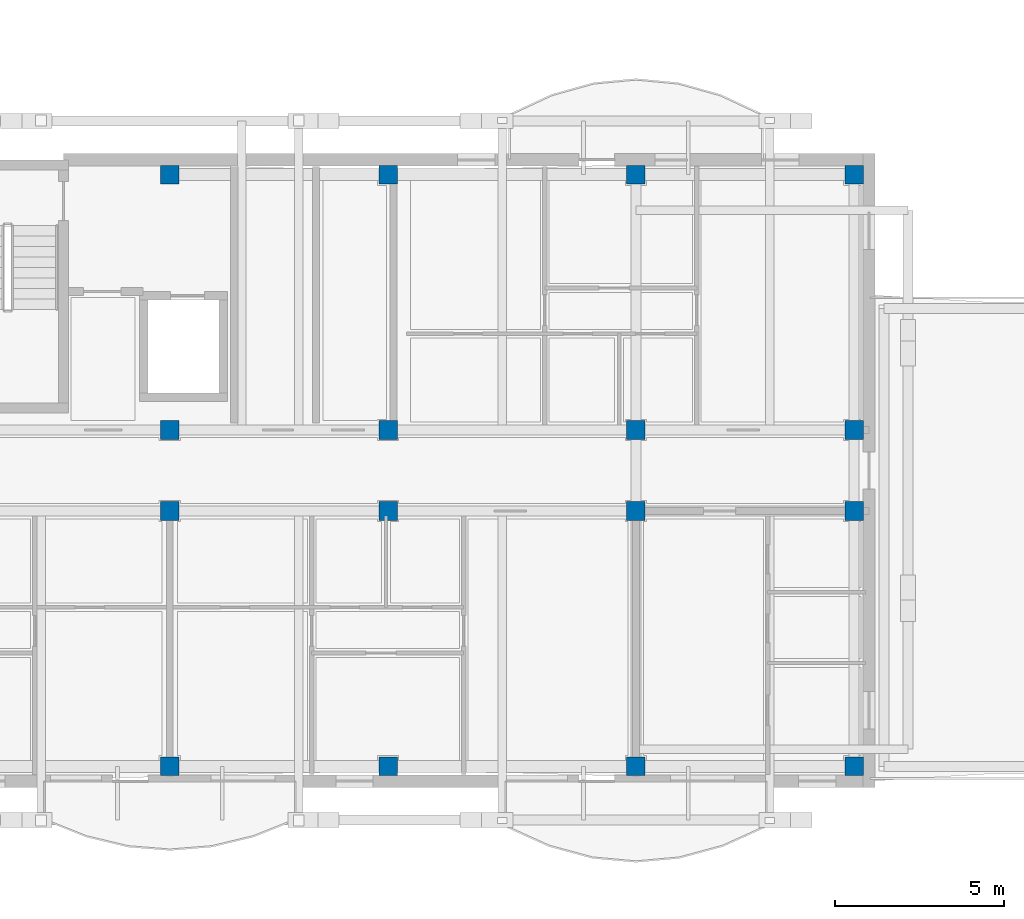
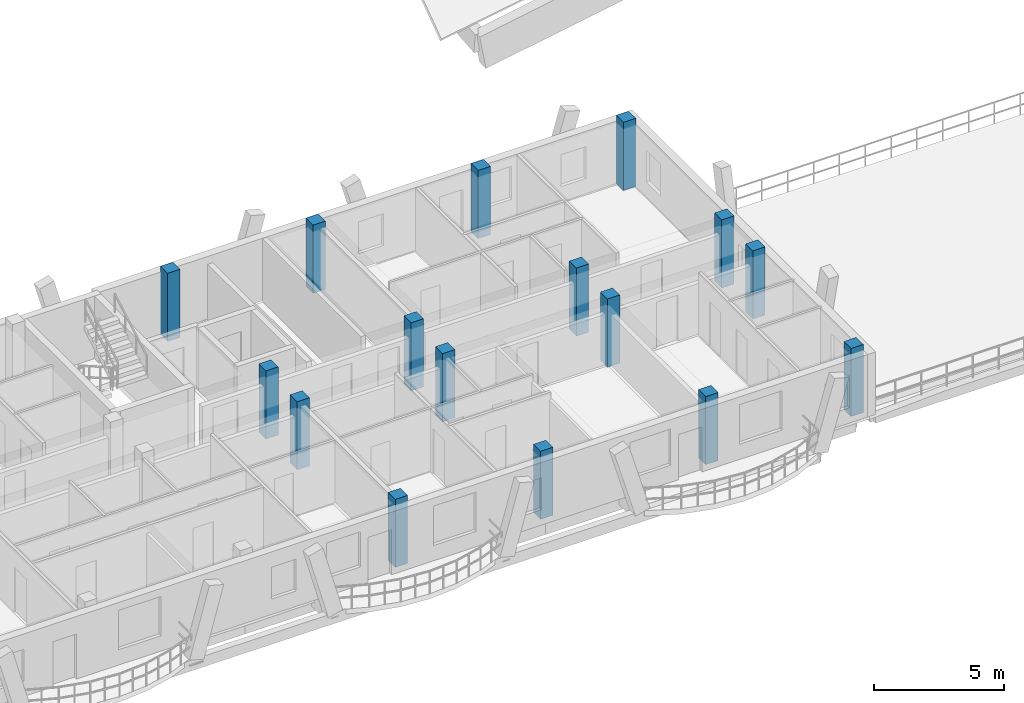
# One storey, part 3 of 109: 16 columns.
"""IFC4 building model written with IfcOpenShell, lengths in metres."""

from ifc_helpers import new_model, si_unit, direction, frame, origin, origin_2d, place, context, subcontext, project, spatial, rectangle, extrude, material, material_profile, profile_set, type_object, element, save


model = new_model("IFC4")

# Units and contexts
model_context = context("Model", 3, precision=1e-05, world=origin(), true_north=direction((0.0, 1.0)))
body_context = subcontext(model_context, "Body", "Model", "MODEL_VIEW")
ifc_project = project(units=[si_unit("LENGTHUNIT", "METRE"), si_unit("AREAUNIT", "SQUARE_METRE"), si_unit("VOLUMEUNIT", "CUBIC_METRE"), si_unit("PLANEANGLEUNIT", "RADIAN"), si_unit("MASSUNIT", "GRAM", prefix="KILO")], contexts=[model_context])

# Site, building, storey
site_placement = place(None, origin())
site = spatial("IfcSite", under=ifc_project, at=site_placement, CompositionType="ELEMENT")
building_placement = place(site_placement, origin())
building = spatial("IfcBuilding", under=site, at=building_placement, Name="Zavelmont Quarter", CompositionType="ELEMENT")
storey_placement = place(building_placement, frame((0.0, 0.0, 8.0)))
storey = spatial("IfcBuildingStorey", under=building, at=storey_placement, Name="L02", CompositionType="ELEMENT", Elevation=8.0)

# Columns
ifc_material = material(Name="Concrete C40/50", Category="concrete")
ifc_material_profile = material_profile(ifc_material, rectangle(XDim=0.550048828125, YDim=0.550048828125, at=origin_2d()), Name="RC550X550")
ifc_profile_set = profile_set([ifc_material_profile], Name="Concrete C40/50")
column_type = type_object("IfcColumnType", Name="CL02", PredefinedType="COLUMN", material=ifc_profile_set)
for number, where, z_axis, x_axis, name in (
    (1, (34.5, 0.43994140625, 0.0), (0.0, 0.0, 1.0), (1.0, 0.0, 0.0), "L02 column CL02 at 6/A"),
    (2, (34.5, 8.0, 0.0), (0.0, 0.0, 1.0), (1.0, 0.0, 0.0), "L02 column CL02 at 6/B"),
    (3, (34.5, 10.39990234375, 0.0), (0.0, 0.0, 1.0), (1.0, 0.0, 0.0), "L02 column CL02 at 6/C"),
    (4, (34.5, 17.9599609375, 0.0), (0.0, 0.0, 1.0), (1.0, 0.0, 0.0), "L02 column CL02 at 6/D"),
    (5, (40.9599609375, 0.43994140625, 0.0), (0.0, 0.0, 1.0), (1.0, 0.0, 0.0), "L02 column CL02 at 7/A"),
    (6, (40.9599609375, 8.0, 0.0), (0.0, 0.0, 1.0), (1.0, 0.0, 0.0), "L02 column CL02 at 7/B"),
    (7, (40.9599609375, 10.39990234375, 0.0), (0.0, 0.0, 1.0), (1.0, 0.0, 0.0), "L02 column CL02 at 7/C"),
    (8, (40.9599609375, 17.9599609375, 0.0), (0.0, 0.0, 1.0), (1.0, 0.0, 0.0), "L02 column CL02 at 7/D"),
    (9, (48.300048828125, 0.43994140625, 0.0), (0.0, 0.0, 1.0), (1.0, 0.0, 0.0), "L02 column CL02 at 8/A"),
    (10, (48.300048828125, 8.0, 0.0), (0.0, 0.0, 1.0), (1.0, 0.0, 0.0), "L02 column CL02 at 8/B"),
    (11, (48.300048828125, 10.39990234375, 0.0), (0.0, 0.0, 1.0), (1.0, 0.0, 0.0), "L02 column CL02 at 8/C"),
    (12, (48.300048828125, 17.9599609375, 0.0), (0.0, 0.0, 1.0), (1.0, 0.0, 0.0), "L02 column CL02 at 8/D"),
    (13, (54.760009765625, 0.43994140625, 0.0), (0.0, 0.0, 1.0), (1.0, 0.0, 0.0), "L02 column CL02 at 9/A"),
    (14, (54.760009765625, 8.0, 0.0), (0.0, 0.0, 1.0), (1.0, 0.0, 0.0), "L02 column CL02 at 9/B"),
    (15, (54.760009765625, 10.39990234375, 0.0), (0.0, 0.0, 1.0), (1.0, 0.0, 0.0), "L02 column CL02 at 9/C"),
    (16, (54.760009765625, 17.9599609375, 0.0), (0.0, 0.0, 1.0), (1.0, 0.0, 0.0), "L02 column CL02 at 9/D"),
):
    element("IfcColumn", number, at=place(storey_placement, frame(where, z_axis=z_axis, x_axis=x_axis)), inside=storey, type_object=column_type, Name=name, PredefinedType="COLUMN", context=body_context, shape_type="SweptSolid", body=[
        extrude(rectangle(XDim=0.550048828125, YDim=0.550048828125, at=origin_2d()), origin(), (0.0, 0.0, 1.0), 3.199951171875),
    ])

save(model, "model.ifc")
